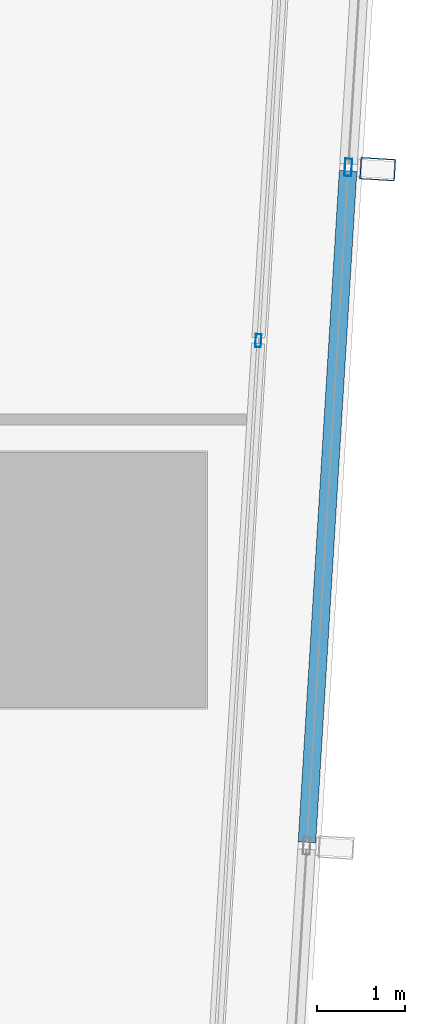
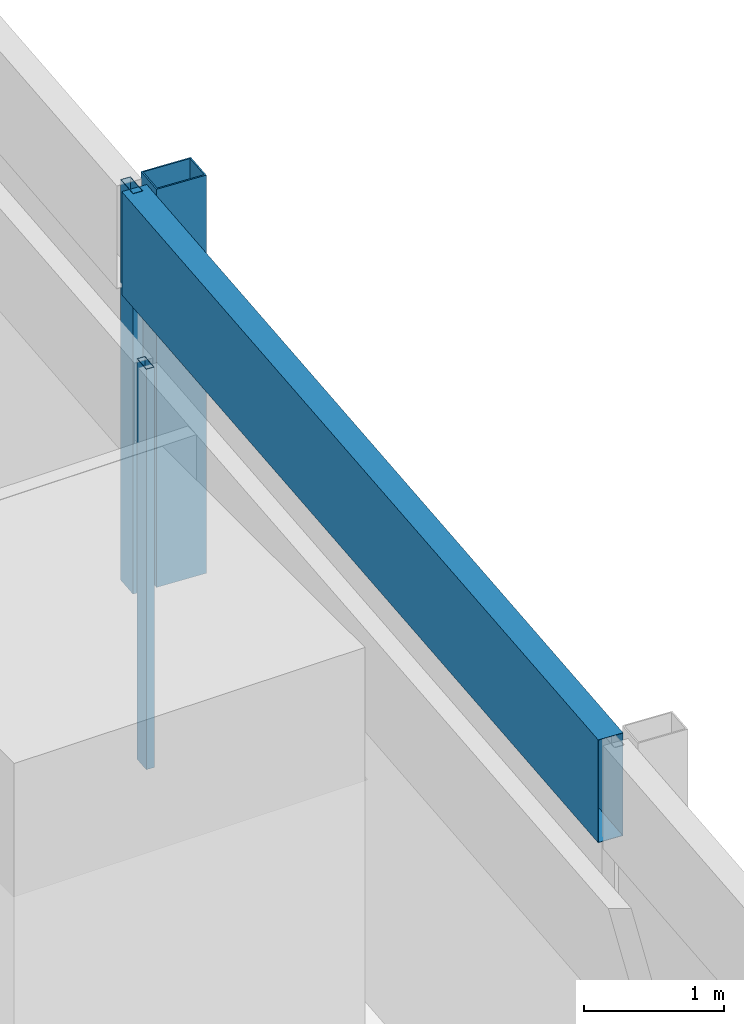
# One storey, part 24 of 40: 4 members, 2 elements without a shape of their own.
"""IFC4 building model written with IfcOpenShell, lengths in metres."""

from ifc_helpers import new_model, si_unit, direction, frame, origin, origin_2d, place, context, subcontext, project, spatial, hollow_rectangle, extrude, material, material_profile, profile_set, type_object, element, aggregate, save


model = new_model("IFC4")

# Units and contexts
model_context = context("Model", 3, precision=1e-05, world=origin(), true_north=direction((0.0, 1.0)))
body_context = subcontext(model_context, "Body", "Model", "MODEL_VIEW")
ifc_project = project(units=[si_unit("LENGTHUNIT", "METRE"), si_unit("AREAUNIT", "SQUARE_METRE"), si_unit("VOLUMEUNIT", "CUBIC_METRE"), si_unit("PLANEANGLEUNIT", "RADIAN"), si_unit("MASSUNIT", "GRAM", prefix="KILO")], contexts=[model_context])

# Site, building, storey
site_placement = place(None, origin())
site = spatial("IfcSite", under=ifc_project, at=site_placement, CompositionType="ELEMENT")
building_placement = place(site_placement, origin())
building = spatial("IfcBuilding", under=site, at=building_placement, Name="Rekha Terrace Tower", CompositionType="ELEMENT")
storey_placement = place(building_placement, frame((0.0, 0.0, 95.300048828125)))
storey = spatial("IfcBuildingStorey", under=building, at=storey_placement, Name="L23", CompositionType="ELEMENT", Elevation=95.300048828125)

# Curtain wall, member
ifc_material_1 = material(Name="Aluminium framing", Category="aluminium")
curtain_wall_type_1 = type_object("IfcCurtainWallType", Name="CW2 double skin outer glazing", PredefinedType="USERDEFINED", material=ifc_material_1)
curtain_wall_1_placement = place(storey_placement, origin())
curtain_wall_1 = element("IfcCurtainWall", 1, at=curtain_wall_1_placement, inside=storey, type_object=curtain_wall_type_1, Name="CW2 double skin outer glazing", ObjectType="DOUBLE SKIN OUTER GLAZING", PredefinedType="USERDEFINED")
ifc_material_2 = material(Name="Steel S355 with fluorocarbon finish", Category="steel")
ifc_material_profile_1 = material_profile(ifc_material_2, hollow_rectangle(XDim=0.25, YDim=0.39990234375, WallThickness=0.012451171875, at=origin_2d()), Name="RHS400x250x12.5")
ifc_profile_set_1 = profile_set([ifc_material_profile_1], Name="Steel S355 with fluorocarbon finish")
member_type_1 = type_object("IfcMemberType", Name="BL1 facade blade RHS 400 x 250", PredefinedType="USERDEFINED", material=ifc_profile_set_1)
member_1_placement = place(storey_placement, frame((70.601318359375, 38.27001953125, 0.02001953125), z_axis=(0.0, 0.0, 1.0), x_axis=(0.061160031881, 0.998127973008, 0.0)))
member_1 = element("IfcMember", 2, at=member_1_placement, type_object=member_type_1, Name="Facade blade", ObjectType="FACADE BLADE", PredefinedType="USERDEFINED", context=body_context, shape_type="SweptSolid", body=[
    extrude(hollow_rectangle(XDim=0.25, YDim=0.39990234375, WallThickness=0.012451171875, at=origin_2d()), origin(), (0.0, 0.0, 1.0), 3.47998046875),
])

curtain_wall_type_2 = type_object("IfcCurtainWallType", Name="CW1 double skin inner glazing", PredefinedType="USERDEFINED", material=ifc_material_1)
curtain_wall_2_placement = place(storey_placement, origin())
curtain_wall_2 = element("IfcCurtainWall", 3, at=curtain_wall_2_placement, inside=storey, type_object=curtain_wall_type_2, Name="CW1 double skin inner glazing", ObjectType="DOUBLE SKIN INNER GLAZING", PredefinedType="USERDEFINED")
ifc_material_3 = material(Name="Aluminium mullion section", Category="aluminium")
ifc_material_profile_2 = material_profile(ifc_material_3, hollow_rectangle(XDim=0.06494140625, YDim=0.14990234375, WallThickness=0.00390625, at=origin_2d()), Name="AL RHS 65x150")
ifc_profile_set_2 = profile_set([ifc_material_profile_2], Name="Aluminium mullion section")
member_type_2 = type_object("IfcMemberType", Name="CW1 mullion RHS 65 x 150", PredefinedType="MULLION", material=ifc_profile_set_2)
member_2_placement = place(storey_placement, frame((69.244384765625, 36.32080078125, 0.0), z_axis=(0.0, 0.0, 1.0), x_axis=(-0.998127987025, 0.061159803113, 0.0)))
member_2 = element("IfcMember", 4, at=member_2_placement, type_object=member_type_2, Name="CW1 mullion 2", PredefinedType="MULLION", context=body_context, shape_type="SweptSolid", body=[
    extrude(hollow_rectangle(XDim=0.06494140625, YDim=0.14990234375, WallThickness=0.00390625, at=origin_2d()), origin(), (0.0, 0.0, 1.0), 3.5),
])
aggregate(curtain_wall_2, [member_2])

# Member
ifc_material_profile_3 = material_profile(ifc_material_3, hollow_rectangle(XDim=0.080078125, YDim=0.199951171875, WallThickness=0.00390625, at=origin_2d()), Name="AL RHS 80x200")
ifc_profile_set_3 = profile_set([ifc_material_profile_3], Name="Aluminium mullion section")
member_type_3 = type_object("IfcMemberType", Name="CW2 mullion RHS 80 x 200", PredefinedType="MULLION", material=ifc_profile_set_3)
member_3_placement = place(storey_placement, frame((70.266845703125, 38.29052734375, 0.0), z_axis=(0.0, 0.0, 1.0), x_axis=(-0.998127987024, 0.061159803131, 0.0)))
member_3 = element("IfcMember", 5, at=member_3_placement, type_object=member_type_3, Name="CW2 mullion 4", PredefinedType="MULLION", context=body_context, shape_type="SweptSolid", body=[
    extrude(hollow_rectangle(XDim=0.080078125, YDim=0.199951171875, WallThickness=0.00390625, at=origin_2d()), origin(), (0.0, 0.0, 1.0), 3.5),
])

ifc_material_4 = material(Name="Insulated aluminium spandrel box", Category="aluminium")
ifc_material_profile_4 = material_profile(ifc_material_4, hollow_rectangle(XDim=0.199951171875, YDim=0.89990234375, WallThickness=0.0029296875, at=origin_2d()), Name="AL SPANDREL BOX 200x900")
ifc_profile_set_4 = profile_set([ifc_material_profile_4], Name="Insulated aluminium spandrel box")
member_type_4 = type_object("IfcMemberType", Name="CW2 spandrel transom 200 x 900", PredefinedType="USERDEFINED", material=ifc_profile_set_4)
member_4_placement = place(storey_placement, frame((69.796630859375, 30.618408203125, 3.050048828125), z_axis=(0.061175629852, 0.998127017124, 0.0), x_axis=(-0.998127017124, 0.061175629852, 0.0)))
member_4 = element("IfcMember", 6, at=member_4_placement, type_object=member_type_4, Name="CW2 spandrel transom 3", ObjectType="TRANSOM", PredefinedType="USERDEFINED", context=body_context, shape_type="SweptSolid", body=[
    extrude(hollow_rectangle(XDim=0.199951171875, YDim=0.89990234375, WallThickness=0.0029296875, at=origin_2d()), origin(), (0.0, 0.0, 1.0), 7.646484375),
])

aggregate(curtain_wall_1, [member_3, member_4, member_1])

save(model, "model.ifc")
